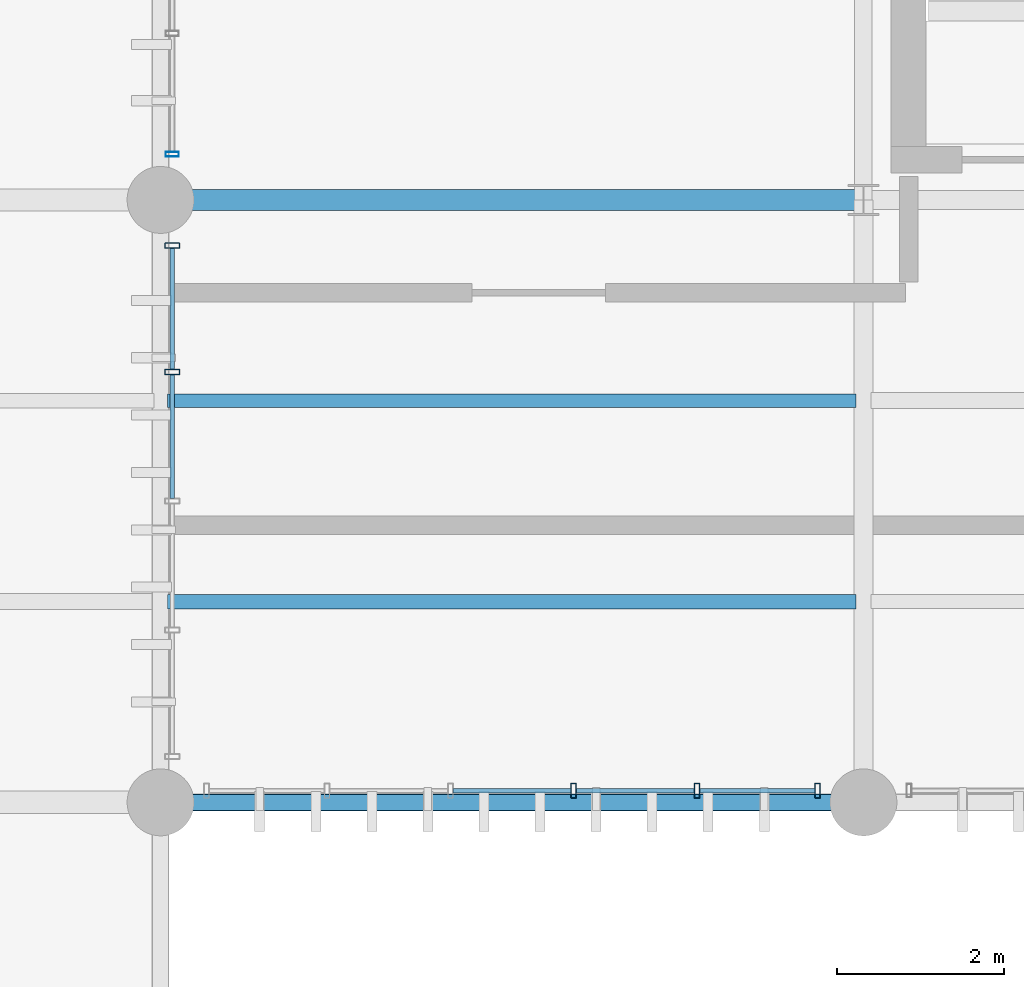
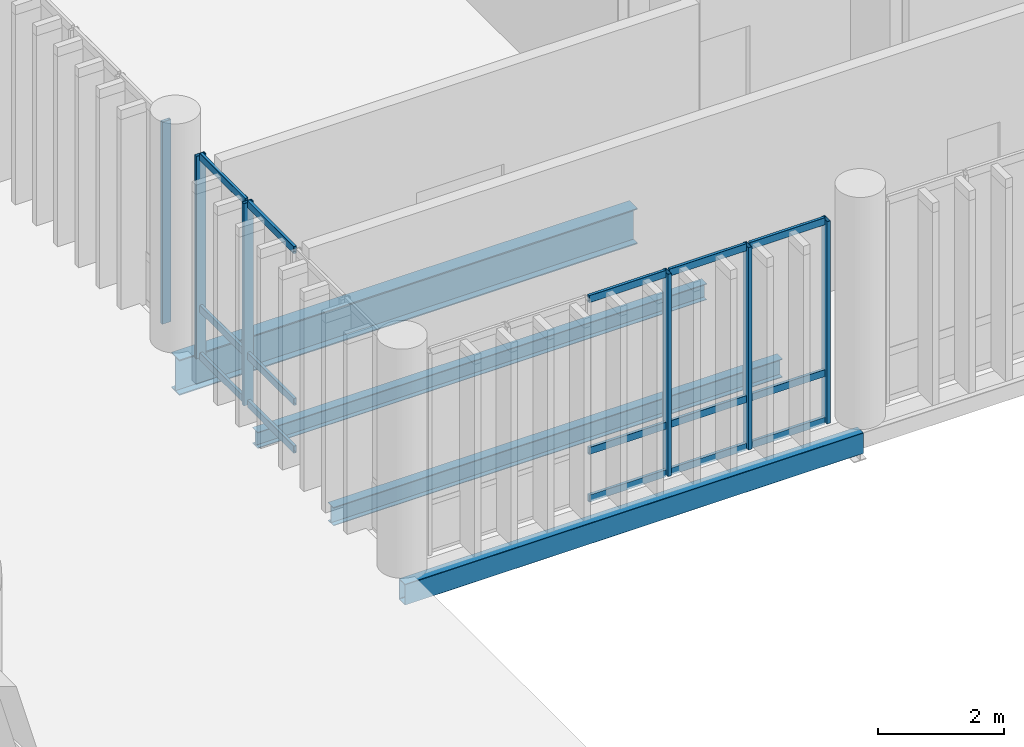
# One storey, part 17 of 68: 21 members, 4 beams, 3 elements without a shape of their own.
"""IFC4 building model written with IfcOpenShell, lengths in metres."""

from ifc_helpers import new_model, si_unit, direction, frame, origin_with_axes, origin_2d_with_axis, place, context, subcontext, project, spatial, hollow_rectangle, i_section, extrude, material, material_profile, profile_set, type_object, element, aggregate, save


model = new_model("IFC4")

# Units and contexts
model_context = context("Model", 3, precision=1e-05, world=origin_with_axes(), true_north=direction((0.0, 1.0)))
body_context = subcontext(model_context, "Body", "Model", "MODEL_VIEW")
ifc_project = project(units=[si_unit("LENGTHUNIT", "METRE"), si_unit("AREAUNIT", "SQUARE_METRE"), si_unit("VOLUMEUNIT", "CUBIC_METRE"), si_unit("PLANEANGLEUNIT", "RADIAN"), si_unit("MASSUNIT", "GRAM", prefix="KILO"), si_unit("THERMODYNAMICTEMPERATUREUNIT", "KELVIN")], contexts=[model_context])

# Site, building, storey
site_placement = place(None, origin_with_axes())
site = spatial("IfcSite", under=ifc_project, at=site_placement, CompositionType="ELEMENT")
building_placement = place(site_placement, origin_with_axes())
building = spatial("IfcBuilding", under=site, at=building_placement, Name="Montbau Bow Law Courts", CompositionType="ELEMENT")
storey_placement = place(building_placement, frame((0.0, 0.0, 20.4), z_axis=(0.0, 0.0, 1.0), x_axis=(1.0, 0.0, 0.0)))
storey = spatial("IfcBuildingStorey", under=building, at=storey_placement, Name="L04", CompositionType="ELEMENT", Elevation=20.4)

# Beams
ifc_material_1 = material(Name="Steel CSA G40.21 Grade 350W (350 MPa)", Category="steel")
ifc_material_profile_1 = material_profile(ifc_material_1, i_section(OverallWidth=0.254, OverallDepth=0.688, WebThickness=0.0131, FlangeThickness=0.0211, at=origin_2d_with_axis()), Name="W690X152", Category="Main", Priority=0)
ifc_profile_set_1 = profile_set([ifc_material_profile_1], Name="Steel CSA G40.21 Grade 350W (350 MPa)")
beam_type_1 = type_object("IfcBeamType", Name="B-FLR-04", PredefinedType="BEAM", material=ifc_profile_set_1)
beam_1_placement = place(None, frame((46.8, 46.2, 19.776), z_axis=(1.0, 0.0, 0.0), x_axis=(0.0, 1.0, 0.0)))
element("IfcBeam", 1, at=beam_1_placement, inside=storey, type_object=beam_type_1, Name="BM-L04-S0921:bm2_0924", PredefinedType="BEAM", context=body_context, shape_type="SweptSolid", body=[
    extrude(i_section(OverallWidth=0.254, OverallDepth=0.688, WebThickness=0.0131, FlangeThickness=0.0211, at=origin_2d_with_axis()), origin_with_axes(), (0.0, 0.0, 1.0), 8.4),
])
ifc_material_profile_2 = material_profile(ifc_material_1, i_section(OverallWidth=0.172, OverallDepth=0.358, WebThickness=0.0079, FlangeThickness=0.0131, at=origin_2d_with_axis()), Name="W360X57", Category="Main", Priority=0)
ifc_profile_set_2 = profile_set([ifc_material_profile_2], Name="Steel CSA G40.21 Grade 350W (350 MPa)")
beam_type_2 = type_object("IfcBeamType", Name="B-JST-03", PredefinedType="JOIST", material=ifc_profile_set_2)
beam_2_placement = place(None, frame((46.88, 41.4, 19.941), z_axis=(1.0, 0.0, 0.0), x_axis=(0.0, 1.0, 0.0)))
element("IfcBeam", 2, at=beam_2_placement, inside=storey, type_object=beam_type_2, Name="JST-L04-S0474:jst2_0474", PredefinedType="JOIST", context=body_context, shape_type="SweptSolid", body=[
    extrude(i_section(OverallWidth=0.172, OverallDepth=0.358, WebThickness=0.0079, FlangeThickness=0.0131, at=origin_2d_with_axis()), origin_with_axes(), (0.0, 0.0, 1.0), 8.23),
])
ifc_material_profile_3 = material_profile(ifc_material_1, i_section(OverallWidth=0.166, OverallDepth=0.313, WebThickness=0.0066, FlangeThickness=0.0112, at=origin_2d_with_axis()), Name="W310X45", Category="Main", Priority=0)
ifc_profile_set_3 = profile_set([ifc_material_profile_3], Name="Steel CSA G40.21 Grade 350W (350 MPa)")
beam_type_3 = type_object("IfcBeamType", Name="B-JST-04", PredefinedType="JOIST", material=ifc_profile_set_3)
beam_3_placement = place(None, frame((46.88, 43.8, 19.963), z_axis=(1.0, 0.0, 0.0), x_axis=(0.0, 1.0, 0.0)))
element("IfcBeam", 3, at=beam_3_placement, inside=storey, type_object=beam_type_3, Name="JST-L04-S0475:jst2_0475", PredefinedType="JOIST", context=body_context, shape_type="SweptSolid", body=[
    extrude(i_section(OverallWidth=0.166, OverallDepth=0.313, WebThickness=0.0066, FlangeThickness=0.0112, at=origin_2d_with_axis()), origin_with_axes(), (0.0, 0.0, 1.0), 8.23),
])
ifc_material_2 = material(Name="Steel CSA G40.21 Grade 350WT (350 MPa)", Category="steel")
ifc_material_profile_4 = material_profile(ifc_material_2, hollow_rectangle(XDim=0.203, YDim=0.406, WallThickness=0.0127, InnerFilletRadius=0.0254, OuterFilletRadius=0.0127, at=origin_2d_with_axis()), Name="HSS406X203X13", Category="Main", Priority=0)
ifc_profile_set_4 = profile_set([ifc_material_profile_4], Name="Steel CSA G40.21 Grade 350WT (350 MPa)")
beam_type_4 = type_object("IfcBeamType", Name="B-SPN-01", PredefinedType="SPANDREL", material=ifc_profile_set_4)
beam_4_placement = place(None, frame((46.8, 39.0, 19.917), z_axis=(1.0, 0.0, 0.0), x_axis=(0.0, 1.0, 0.0)))
element("IfcBeam", 4, at=beam_4_placement, inside=storey, type_object=beam_type_4, Name="SPN-L04-S0915:bm2_0918", PredefinedType="SPANDREL", context=body_context, shape_type="SweptSolid", body=[
    extrude(hollow_rectangle(XDim=0.203, YDim=0.406, WallThickness=0.0127, InnerFilletRadius=0.0254, OuterFilletRadius=0.0127, at=origin_2d_with_axis()), origin_with_axes(), (0.0, 0.0, 1.0), 8.4),
])

# Curtain wall, members
ifc_material_3 = material(Name="Thermally Broken Extruded Aluminium AA 6063-T6", Category="aluminium")
curtain_wall_type = type_object("IfcCurtainWallType", Name="CW-CRM-01", PredefinedType="NOTDEFINED", material=ifc_material_3)
curtain_wall_1_placement = place(None, frame((47.315, 39.14, 20.4), z_axis=(0.0, 0.0, 1.0), x_axis=(1.0, 0.0, 0.0)))
curtain_wall_1 = element("IfcCurtainWall", 5, at=curtain_wall_1_placement, inside=storey, type_object=curtain_wall_type, Name="CW-L04-193:cw_0193", PredefinedType="NOTDEFINED")
ifc_material_profile_5 = material_profile(ifc_material_3, hollow_rectangle(XDim=0.065, YDim=0.18, WallThickness=0.005, InnerFilletRadius=0.01, OuterFilletRadius=0.005, at=origin_2d_with_axis()), Name="CWM-180X65", Category="Main", Priority=0)
ifc_profile_set_5 = profile_set([ifc_material_profile_5], Name="Thermally Broken Extruded Aluminium AA 6063-T6")
member_type_1 = type_object("IfcMemberType", Name="M-MUL-02", PredefinedType="MULLION", material=ifc_profile_set_5)
member_1_placement = place(None, frame((51.737, 39.14, 20.4), z_axis=(0.0, 0.0, 1.0), x_axis=(1.0, 0.0, 0.0)))
member_1 = element("IfcMember", 6, at=member_1_placement, type_object=member_type_1, Name="CW-L04-193-M04:cw_0193_M04", PredefinedType="MULLION", context=body_context, shape_type="SweptSolid", body=[
    extrude(hollow_rectangle(XDim=0.065, YDim=0.18, WallThickness=0.005, InnerFilletRadius=0.01, OuterFilletRadius=0.005, at=origin_2d_with_axis()), origin_with_axes(), (0.0, 0.0, 1.0), 3.92),
])
member_2_placement = place(None, frame((53.211, 39.14, 20.4), z_axis=(0.0, 0.0, 1.0), x_axis=(1.0, 0.0, 0.0)))
member_2 = element("IfcMember", 7, at=member_2_placement, type_object=member_type_1, Name="CW-L04-193-M05:cw_0193_M05", PredefinedType="MULLION", context=body_context, shape_type="SweptSolid", body=[
    extrude(hollow_rectangle(XDim=0.065, YDim=0.18, WallThickness=0.005, InnerFilletRadius=0.01, OuterFilletRadius=0.005, at=origin_2d_with_axis()), origin_with_axes(), (0.0, 0.0, 1.0), 3.92),
])
member_3_placement = place(None, frame((54.653, 39.14, 20.4), z_axis=(0.0, 0.0, 1.0), x_axis=(1.0, 0.0, 0.0)))
member_3 = element("IfcMember", 8, at=member_3_placement, type_object=member_type_1, Name="CW-L04-193-M06:cw_0193_M06", PredefinedType="MULLION", context=body_context, shape_type="SweptSolid", body=[
    extrude(hollow_rectangle(XDim=0.065, YDim=0.18, WallThickness=0.005, InnerFilletRadius=0.01, OuterFilletRadius=0.005, at=origin_2d_with_axis()), origin_with_axes(), (0.0, 0.0, 1.0), 3.92),
])

curtain_wall_2_placement = place(None, frame((46.94, 39.515, 20.4), z_axis=(0.0, 0.0, 1.0), x_axis=(1.0, 0.0, 0.0)))
curtain_wall_2 = element("IfcCurtainWall", 9, at=curtain_wall_2_placement, inside=storey, type_object=curtain_wall_type, Name="CW-L04-205:cw_0205", PredefinedType="NOTDEFINED")
member_4_placement = place(None, frame((46.94, 44.143, 20.4), z_axis=(0.0, 0.0, 1.0), x_axis=(0.0, 1.0, 0.0)))
member_4 = element("IfcMember", 10, at=member_4_placement, type_object=member_type_1, Name="CW-L04-205-M04:cw_0205_M04", PredefinedType="MULLION", context=body_context, shape_type="SweptSolid", body=[
    extrude(hollow_rectangle(XDim=0.065, YDim=0.18, WallThickness=0.005, InnerFilletRadius=0.01, OuterFilletRadius=0.005, at=origin_2d_with_axis()), origin_with_axes(), (0.0, 0.0, 1.0), 3.92),
])
member_5_placement = place(None, frame((46.94, 45.653, 20.4), z_axis=(0.0, 0.0, 1.0), x_axis=(0.0, 1.0, 0.0)))
member_5 = element("IfcMember", 11, at=member_5_placement, type_object=member_type_1, Name="CW-L04-205-M05:cw_0205_M05", PredefinedType="MULLION", context=body_context, shape_type="SweptSolid", body=[
    extrude(hollow_rectangle(XDim=0.065, YDim=0.18, WallThickness=0.005, InnerFilletRadius=0.01, OuterFilletRadius=0.005, at=origin_2d_with_axis()), origin_with_axes(), (0.0, 0.0, 1.0), 3.92),
])

# Curtain wall, member
curtain_wall_3_placement = place(None, frame((46.94, 46.715, 20.4), z_axis=(0.0, 0.0, 1.0), x_axis=(1.0, 0.0, 0.0)))
curtain_wall_3 = element("IfcCurtainWall", 12, at=curtain_wall_3_placement, inside=storey, type_object=curtain_wall_type, Name="CW-L04-206:cw_0206", PredefinedType="NOTDEFINED")
ifc_material_profile_6 = material_profile(ifc_material_3, hollow_rectangle(XDim=0.06, YDim=0.16, WallThickness=0.004, InnerFilletRadius=0.008, OuterFilletRadius=0.004, at=origin_2d_with_axis()), Name="CWM-160X60", Category="Main", Priority=0)
ifc_profile_set_6 = profile_set([ifc_material_profile_6], Name="Thermally Broken Extruded Aluminium AA 6063-T6")
member_type_2 = type_object("IfcMemberType", Name="M-MUL-03", PredefinedType="MULLION", material=ifc_profile_set_6)
member_6_placement = place(None, frame((46.94, 46.745, 20.4), z_axis=(0.0, 0.0, 1.0), x_axis=(0.0, 1.0, 0.0)))
member_6 = element("IfcMember", 13, at=member_6_placement, type_object=member_type_2, Name="CW-L04-206-M01:cw_0206_M01", PredefinedType="MULLION", context=body_context, shape_type="SweptSolid", body=[
    extrude(hollow_rectangle(XDim=0.06, YDim=0.16, WallThickness=0.004, InnerFilletRadius=0.008, OuterFilletRadius=0.004, at=origin_2d_with_axis()), origin_with_axes(), (0.0, 0.0, 1.0), 3.92),
])
aggregate(curtain_wall_3, [member_6])

# Member
ifc_material_profile_7 = material_profile(ifc_material_3, hollow_rectangle(XDim=0.055, YDim=0.14, WallThickness=0.004, InnerFilletRadius=0.008, OuterFilletRadius=0.004, at=origin_2d_with_axis()), Name="CWT-140X55", Category="Main", Priority=0)
ifc_profile_set_7 = profile_set([ifc_material_profile_7], Name="Thermally Broken Extruded Aluminium AA 6063-T6")
member_type_3 = type_object("IfcMemberType", Name="M-TRN-02", PredefinedType="USERDEFINED", material=ifc_profile_set_7)
member_7_placement = place(None, frame((50.297, 39.14, 20.427), z_axis=(1.0, 0.0, 0.0), x_axis=(0.0, 1.0, 0.0)))
member_7 = element("IfcMember", 14, at=member_7_placement, type_object=member_type_3, Name="CW-L04-193-T03-1:cw_0193_T03_1", ObjectType="TRANSOM", PredefinedType="USERDEFINED", context=body_context, shape_type="SweptSolid", body=[
    extrude(hollow_rectangle(XDim=0.055, YDim=0.14, WallThickness=0.004, InnerFilletRadius=0.008, OuterFilletRadius=0.004, at=origin_2d_with_axis()), origin_with_axes(), (0.0, 0.0, 1.0), 1.406),
])

member_8_placement = place(None, frame((50.297, 39.14, 21.35), z_axis=(1.0, 0.0, 0.0), x_axis=(0.0, 1.0, 0.0)))
member_8 = element("IfcMember", 15, at=member_8_placement, type_object=member_type_3, Name="CW-L04-193-T03-2:cw_0193_T03_2", ObjectType="TRANSOM", PredefinedType="USERDEFINED", context=body_context, shape_type="SweptSolid", body=[
    extrude(hollow_rectangle(XDim=0.055, YDim=0.14, WallThickness=0.004, InnerFilletRadius=0.008, OuterFilletRadius=0.004, at=origin_2d_with_axis()), origin_with_axes(), (0.0, 0.0, 1.0), 1.406),
])

member_9_placement = place(None, frame((50.297, 39.14, 24.293), z_axis=(1.0, 0.0, 0.0), x_axis=(0.0, 1.0, 0.0)))
member_9 = element("IfcMember", 16, at=member_9_placement, type_object=member_type_3, Name="CW-L04-193-T03-3:cw_0193_T03_3", ObjectType="TRANSOM", PredefinedType="USERDEFINED", context=body_context, shape_type="SweptSolid", body=[
    extrude(hollow_rectangle(XDim=0.055, YDim=0.14, WallThickness=0.004, InnerFilletRadius=0.008, OuterFilletRadius=0.004, at=origin_2d_with_axis()), origin_with_axes(), (0.0, 0.0, 1.0), 1.406),
])

member_10_placement = place(None, frame((51.771, 39.14, 20.427), z_axis=(1.0, 0.0, 0.0), x_axis=(0.0, 1.0, 0.0)))
member_10 = element("IfcMember", 17, at=member_10_placement, type_object=member_type_3, Name="CW-L04-193-T04-1:cw_0193_T04_1", ObjectType="TRANSOM", PredefinedType="USERDEFINED", context=body_context, shape_type="SweptSolid", body=[
    extrude(hollow_rectangle(XDim=0.055, YDim=0.14, WallThickness=0.004, InnerFilletRadius=0.008, OuterFilletRadius=0.004, at=origin_2d_with_axis()), origin_with_axes(), (0.0, 0.0, 1.0), 1.406),
])

member_11_placement = place(None, frame((51.771, 39.14, 21.35), z_axis=(1.0, 0.0, 0.0), x_axis=(0.0, 1.0, 0.0)))
member_11 = element("IfcMember", 18, at=member_11_placement, type_object=member_type_3, Name="CW-L04-193-T04-2:cw_0193_T04_2", ObjectType="TRANSOM", PredefinedType="USERDEFINED", context=body_context, shape_type="SweptSolid", body=[
    extrude(hollow_rectangle(XDim=0.055, YDim=0.14, WallThickness=0.004, InnerFilletRadius=0.008, OuterFilletRadius=0.004, at=origin_2d_with_axis()), origin_with_axes(), (0.0, 0.0, 1.0), 1.406),
])

member_12_placement = place(None, frame((51.771, 39.14, 24.293), z_axis=(1.0, 0.0, 0.0), x_axis=(0.0, 1.0, 0.0)))
member_12 = element("IfcMember", 19, at=member_12_placement, type_object=member_type_3, Name="CW-L04-193-T04-3:cw_0193_T04_3", ObjectType="TRANSOM", PredefinedType="USERDEFINED", context=body_context, shape_type="SweptSolid", body=[
    extrude(hollow_rectangle(XDim=0.055, YDim=0.14, WallThickness=0.004, InnerFilletRadius=0.008, OuterFilletRadius=0.004, at=origin_2d_with_axis()), origin_with_axes(), (0.0, 0.0, 1.0), 1.406),
])

member_13_placement = place(None, frame((53.245, 39.14, 20.427), z_axis=(1.0, 0.0, 0.0), x_axis=(0.0, 1.0, 0.0)))
member_13 = element("IfcMember", 20, at=member_13_placement, type_object=member_type_3, Name="CW-L04-193-T05-1:cw_0193_T05_1", ObjectType="TRANSOM", PredefinedType="USERDEFINED", context=body_context, shape_type="SweptSolid", body=[
    extrude(hollow_rectangle(XDim=0.055, YDim=0.14, WallThickness=0.004, InnerFilletRadius=0.008, OuterFilletRadius=0.004, at=origin_2d_with_axis()), origin_with_axes(), (0.0, 0.0, 1.0), 1.374),
])

member_14_placement = place(None, frame((53.245, 39.14, 21.35), z_axis=(1.0, 0.0, 0.0), x_axis=(0.0, 1.0, 0.0)))
member_14 = element("IfcMember", 21, at=member_14_placement, type_object=member_type_3, Name="CW-L04-193-T05-2:cw_0193_T05_2", ObjectType="TRANSOM", PredefinedType="USERDEFINED", context=body_context, shape_type="SweptSolid", body=[
    extrude(hollow_rectangle(XDim=0.055, YDim=0.14, WallThickness=0.004, InnerFilletRadius=0.008, OuterFilletRadius=0.004, at=origin_2d_with_axis()), origin_with_axes(), (0.0, 0.0, 1.0), 1.374),
])

member_15_placement = place(None, frame((53.245, 39.14, 24.293), z_axis=(1.0, 0.0, 0.0), x_axis=(0.0, 1.0, 0.0)))
member_15 = element("IfcMember", 22, at=member_15_placement, type_object=member_type_3, Name="CW-L04-193-T05-3:cw_0193_T05_3", ObjectType="TRANSOM", PredefinedType="USERDEFINED", context=body_context, shape_type="SweptSolid", body=[
    extrude(hollow_rectangle(XDim=0.055, YDim=0.14, WallThickness=0.004, InnerFilletRadius=0.008, OuterFilletRadius=0.004, at=origin_2d_with_axis()), origin_with_axes(), (0.0, 0.0, 1.0), 1.374),
])

aggregate(curtain_wall_1, [member_1, member_2, member_3, member_7, member_8, member_9, member_10, member_11, member_12, member_13, member_14, member_15])

member_16_placement = place(None, frame((46.94, 42.634, 20.427), z_axis=(0.0, 1.0, 0.0), x_axis=(-1.0, 0.0, 0.0)))
member_16 = element("IfcMember", 23, at=member_16_placement, type_object=member_type_3, Name="CW-L04-205-T03-1:cw_0205_T03_1", ObjectType="TRANSOM", PredefinedType="USERDEFINED", context=body_context, shape_type="SweptSolid", body=[
    extrude(hollow_rectangle(XDim=0.055, YDim=0.14, WallThickness=0.004, InnerFilletRadius=0.008, OuterFilletRadius=0.004, at=origin_2d_with_axis()), origin_with_axes(), (0.0, 0.0, 1.0), 1.475),
])

member_17_placement = place(None, frame((46.94, 42.634, 21.35), z_axis=(0.0, 1.0, 0.0), x_axis=(-1.0, 0.0, 0.0)))
member_17 = element("IfcMember", 24, at=member_17_placement, type_object=member_type_3, Name="CW-L04-205-T03-2:cw_0205_T03_2", ObjectType="TRANSOM", PredefinedType="USERDEFINED", context=body_context, shape_type="SweptSolid", body=[
    extrude(hollow_rectangle(XDim=0.055, YDim=0.14, WallThickness=0.004, InnerFilletRadius=0.008, OuterFilletRadius=0.004, at=origin_2d_with_axis()), origin_with_axes(), (0.0, 0.0, 1.0), 1.475),
])

member_18_placement = place(None, frame((46.94, 42.634, 24.293), z_axis=(0.0, 1.0, 0.0), x_axis=(-1.0, 0.0, 0.0)))
member_18 = element("IfcMember", 25, at=member_18_placement, type_object=member_type_3, Name="CW-L04-205-T03-3:cw_0205_T03_3", ObjectType="TRANSOM", PredefinedType="USERDEFINED", context=body_context, shape_type="SweptSolid", body=[
    extrude(hollow_rectangle(XDim=0.055, YDim=0.14, WallThickness=0.004, InnerFilletRadius=0.008, OuterFilletRadius=0.004, at=origin_2d_with_axis()), origin_with_axes(), (0.0, 0.0, 1.0), 1.475),
])

member_19_placement = place(None, frame((46.94, 44.177, 20.427), z_axis=(0.0, 1.0, 0.0), x_axis=(-1.0, 0.0, 0.0)))
member_19 = element("IfcMember", 26, at=member_19_placement, type_object=member_type_3, Name="CW-L04-205-T04-1:cw_0205_T04_1", ObjectType="TRANSOM", PredefinedType="USERDEFINED", context=body_context, shape_type="SweptSolid", body=[
    extrude(hollow_rectangle(XDim=0.055, YDim=0.14, WallThickness=0.004, InnerFilletRadius=0.008, OuterFilletRadius=0.004, at=origin_2d_with_axis()), origin_with_axes(), (0.0, 0.0, 1.0), 1.442),
])

member_20_placement = place(None, frame((46.94, 44.177, 21.35), z_axis=(0.0, 1.0, 0.0), x_axis=(-1.0, 0.0, 0.0)))
member_20 = element("IfcMember", 27, at=member_20_placement, type_object=member_type_3, Name="CW-L04-205-T04-2:cw_0205_T04_2", ObjectType="TRANSOM", PredefinedType="USERDEFINED", context=body_context, shape_type="SweptSolid", body=[
    extrude(hollow_rectangle(XDim=0.055, YDim=0.14, WallThickness=0.004, InnerFilletRadius=0.008, OuterFilletRadius=0.004, at=origin_2d_with_axis()), origin_with_axes(), (0.0, 0.0, 1.0), 1.442),
])

member_21_placement = place(None, frame((46.94, 44.177, 24.293), z_axis=(0.0, 1.0, 0.0), x_axis=(-1.0, 0.0, 0.0)))
member_21 = element("IfcMember", 28, at=member_21_placement, type_object=member_type_3, Name="CW-L04-205-T04-3:cw_0205_T04_3", ObjectType="TRANSOM", PredefinedType="USERDEFINED", context=body_context, shape_type="SweptSolid", body=[
    extrude(hollow_rectangle(XDim=0.055, YDim=0.14, WallThickness=0.004, InnerFilletRadius=0.008, OuterFilletRadius=0.004, at=origin_2d_with_axis()), origin_with_axes(), (0.0, 0.0, 1.0), 1.442),
])

aggregate(curtain_wall_2, [member_4, member_5, member_16, member_17, member_18, member_19, member_20, member_21])

save(model, "model.ifc")
